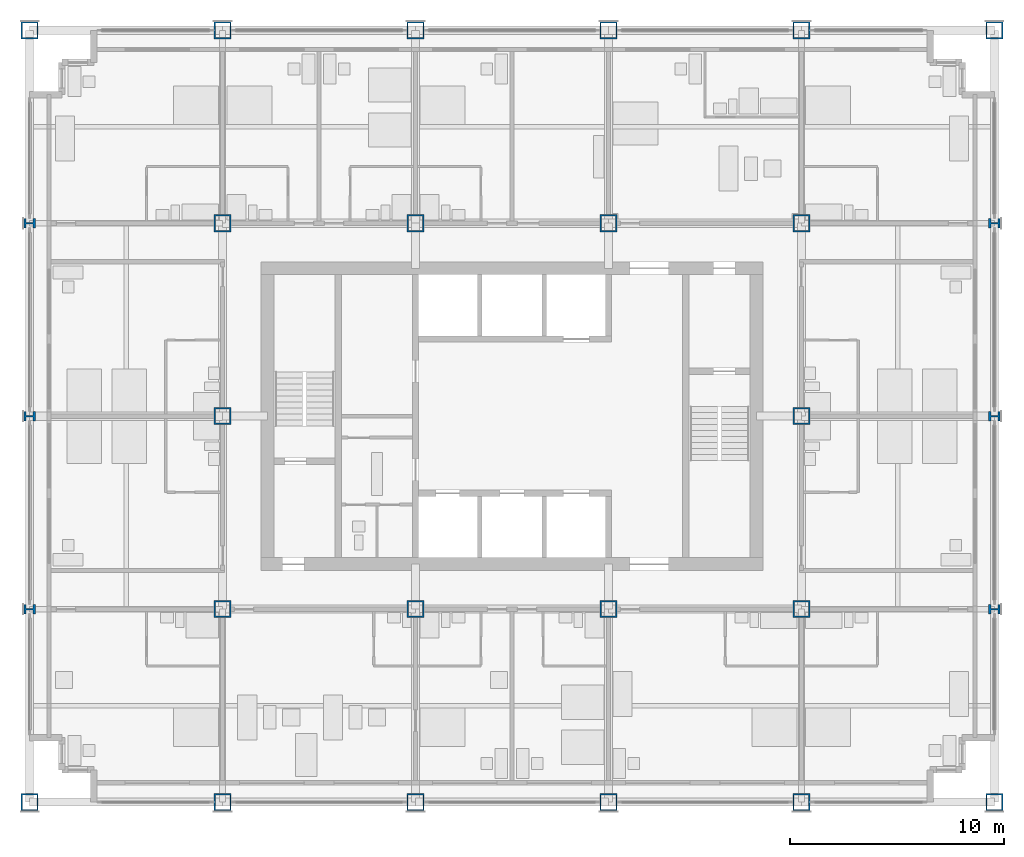
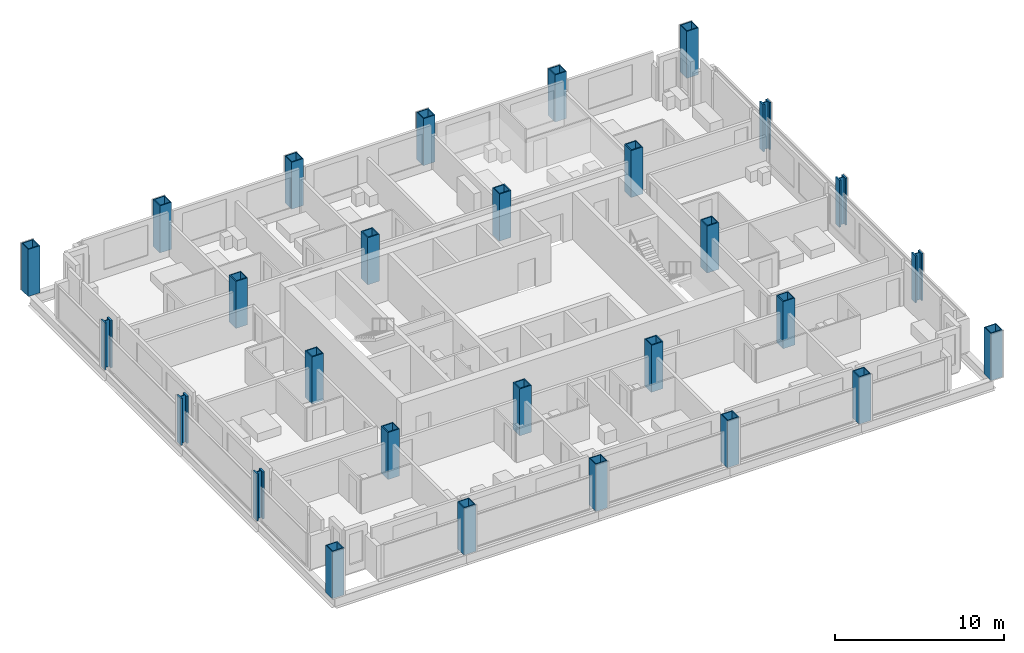
# One storey, part 1 of 16: 28 columns.
"""IFC4 building model written with IfcOpenShell, lengths in metres."""

from ifc_helpers import new_model, si_unit, direction, frame, origin, origin_2d, place, context, subcontext, project, spatial, hollow_rectangle, i_section, extrude, material, material_profile, profile_set, type_object, element, save


model = new_model("IFC4")

# Units and contexts
model_context = context("Model", 3, precision=1e-05, world=origin(), true_north=direction((0.0, 1.0)))
body_context = subcontext(model_context, "Body", "Model", "MODEL_VIEW")
ifc_project = project(units=[si_unit("LENGTHUNIT", "METRE"), si_unit("AREAUNIT", "SQUARE_METRE"), si_unit("VOLUMEUNIT", "CUBIC_METRE"), si_unit("PLANEANGLEUNIT", "RADIAN"), si_unit("MASSUNIT", "GRAM", prefix="KILO")], contexts=[model_context])

# Site, building, storey
site_placement = place(None, origin())
site = spatial("IfcSite", under=ifc_project, at=site_placement, CompositionType="ELEMENT")
building_placement = place(site_placement, origin())
building = spatial("IfcBuilding", under=site, at=building_placement, Name="Loomwork Tower", CompositionType="ELEMENT")
storey_placement = place(building_placement, frame((0.0, 0.0, 131.60009765625)))
storey = spatial("IfcBuildingStorey", under=building, at=storey_placement, Name="L35", CompositionType="ELEMENT", Elevation=131.60009765625)

# Columns
ifc_material_1 = material(Name="Steel ASTM A572 Grade 50 plate", Category="steel")
ifc_material_profile_1 = material_profile(ifc_material_1, hollow_rectangle(XDim=0.800048828125, YDim=0.800048828125, WallThickness=0.06005859375, at=origin_2d()), Name="BOX800x60")
ifc_profile_set_1 = profile_set([ifc_material_profile_1], Name="Steel ASTM A572 Grade 50 plate")
column_type_1 = type_object("IfcColumnType", Name="EXOSKELETON PIER BOX800x60", PredefinedType="COLUMN", material=ifc_profile_set_1)
for number, where, z_axis, x_axis, name in (
    (1, (0.0, 0.0, 0.0), (0.0, 0.0, 1.0), (1.0, 0.0, 0.0), "Exoskeleton Pier D/2 L35"),
    (2, (0.0, 36.0, 0.0), (0.0, 0.0, 1.0), (1.0, 0.0, 0.0), "Exoskeleton Pier H/2 L35"),
    (3, (9.0, 0.0, 0.0), (0.0, 0.0, 1.0), (1.0, 0.0, 0.0), "Exoskeleton Pier D/3 L35"),
    (4, (9.0, 36.0, 0.0), (0.0, 0.0, 1.0), (1.0, 0.0, 0.0), "Exoskeleton Pier H/3 L35"),
    (5, (18.0, 0.0, 0.0), (0.0, 0.0, 1.0), (1.0, 0.0, 0.0), "Exoskeleton Pier D/4 L35"),
    (6, (18.0, 36.0, 0.0), (0.0, 0.0, 1.0), (1.0, 0.0, 0.0), "Exoskeleton Pier H/4 L35"),
    (7, (27.0, 0.0, 0.0), (0.0, 0.0, 1.0), (1.0, 0.0, 0.0), "Exoskeleton Pier D/5 L35"),
    (8, (27.0, 36.0, 0.0), (0.0, 0.0, 1.0), (1.0, 0.0, 0.0), "Exoskeleton Pier H/5 L35"),
    (9, (36.0, 0.0, 0.0), (0.0, 0.0, 1.0), (1.0, 0.0, 0.0), "Exoskeleton Pier D/6 L35"),
    (10, (36.0, 36.0, 0.0), (0.0, 0.0, 1.0), (1.0, 0.0, 0.0), "Exoskeleton Pier H/6 L35"),
    (11, (45.0, 0.0, 0.0), (0.0, 0.0, 1.0), (1.0, 0.0, 0.0), "Exoskeleton Pier D/7 L35"),
    (12, (45.0, 36.0, 0.0), (0.0, 0.0, 1.0), (1.0, 0.0, 0.0), "Exoskeleton Pier H/7 L35"),
):
    element("IfcColumn", number, at=place(storey_placement, frame(where, z_axis=z_axis, x_axis=x_axis)), inside=storey, type_object=column_type_1, Name=name, PredefinedType="COLUMN", context=body_context, shape_type="SweptSolid", body=[
        extrude(hollow_rectangle(XDim=0.800048828125, YDim=0.800048828125, WallThickness=0.06005859375, at=origin_2d()), origin(), (0.0, 0.0, 1.0), 3.39990234375),
    ])
ifc_material_2 = material(Name="Steel ASTM A992", Category="steel")
ifc_material_profile_2 = material_profile(ifc_material_2, i_section(OverallWidth=0.44189453125, OverallDepth=0.53076171875, WebThickness=0.06591796875, FlangeThickness=0.105712890625, at=origin_2d()), Name="W14x605")
ifc_profile_set_2 = profile_set([ifc_material_profile_2], Name="Steel ASTM A992")
column_type_2 = type_object("IfcColumnType", Name="EXOSKELETON PIER W14x605", PredefinedType="COLUMN", material=ifc_profile_set_2)
for number, where, z_axis, x_axis, name in (
    (13, (0.0, 9.0, 0.0), (0.0, 0.0, 1.0), (0.0, 1.0, 0.0), "Exoskeleton Pier E/2 L35"),
    (14, (0.0, 18.0, 0.0), (0.0, 0.0, 1.0), (0.0, 1.0, 0.0), "Exoskeleton Pier F/2 L35"),
    (15, (0.0, 27.0, 0.0), (0.0, 0.0, 1.0), (0.0, 1.0, 0.0), "Exoskeleton Pier G/2 L35"),
    (16, (45.0, 9.0, 0.0), (0.0, 0.0, 1.0), (0.0, 1.0, 0.0), "Exoskeleton Pier E/7 L35"),
    (17, (45.0, 18.0, 0.0), (0.0, 0.0, 1.0), (0.0, 1.0, 0.0), "Exoskeleton Pier F/7 L35"),
    (18, (45.0, 27.0, 0.0), (0.0, 0.0, 1.0), (0.0, 1.0, 0.0), "Exoskeleton Pier G/7 L35"),
):
    element("IfcColumn", number, at=place(storey_placement, frame(where, z_axis=z_axis, x_axis=x_axis)), inside=storey, type_object=column_type_2, Name=name, PredefinedType="COLUMN", context=body_context, shape_type="SweptSolid", body=[
        extrude(i_section(OverallWidth=0.44189453125, OverallDepth=0.53076171875, WebThickness=0.06591796875, FlangeThickness=0.105712890625, at=origin_2d()), origin(), (0.0, 0.0, 1.0), 3.39990234375),
    ])
ifc_material_3 = material(Name="Steel ASTM A572 Grade 50 plate", Category="steel")
ifc_material_profile_3 = material_profile(ifc_material_3, hollow_rectangle(XDim=0.800048828125, YDim=0.800048828125, WallThickness=0.070068359375, at=origin_2d()), Name="BOX800x70")
ifc_profile_set_3 = profile_set([ifc_material_profile_3], Name="Steel ASTM A572 Grade 50 plate")
column_type_3 = type_object("IfcColumnType", Name="TOWER COLUMN BOX800x70", PredefinedType="COLUMN", material=ifc_profile_set_3)
for number, where, z_axis, x_axis, name in (
    (19, (9.0, 9.0, 0.0), (0.0, 0.0, 1.0), (1.0, 0.0, 0.0), "Tower Column E/3 L35"),
    (20, (9.0, 18.0, 0.0), (0.0, 0.0, 1.0), (1.0, 0.0, 0.0), "Tower Column F/3 L35"),
    (21, (9.0, 27.0, 0.0), (0.0, 0.0, 1.0), (1.0, 0.0, 0.0), "Tower Column G/3 L35"),
    (22, (18.0, 9.0, 0.0), (0.0, 0.0, 1.0), (1.0, 0.0, 0.0), "Tower Column E/4 L35"),
    (23, (18.0, 27.0, 0.0), (0.0, 0.0, 1.0), (1.0, 0.0, 0.0), "Tower Column G/4 L35"),
    (24, (27.0, 9.0, 0.0), (0.0, 0.0, 1.0), (1.0, 0.0, 0.0), "Tower Column E/5 L35"),
    (25, (27.0, 27.0, 0.0), (0.0, 0.0, 1.0), (1.0, 0.0, 0.0), "Tower Column G/5 L35"),
    (26, (36.0, 9.0, 0.0), (0.0, 0.0, 1.0), (0.0, 1.0, 0.0), "Tower Column E/6 L35"),
    (27, (36.0, 18.0, 0.0), (0.0, 0.0, 1.0), (0.0, 1.0, 0.0), "Tower Column F/6 L35"),
    (28, (36.0, 27.0, 0.0), (0.0, 0.0, 1.0), (1.0, 0.0, 0.0), "Tower Column G/6 L35"),
):
    element("IfcColumn", number, at=place(storey_placement, frame(where, z_axis=z_axis, x_axis=x_axis)), inside=storey, type_object=column_type_3, Name=name, PredefinedType="COLUMN", context=body_context, shape_type="SweptSolid", body=[
        extrude(hollow_rectangle(XDim=0.800048828125, YDim=0.800048828125, WallThickness=0.070068359375, at=origin_2d()), origin(), (0.0, 0.0, 1.0), 3.39990234375),
    ])

save(model, "model.ifc")
